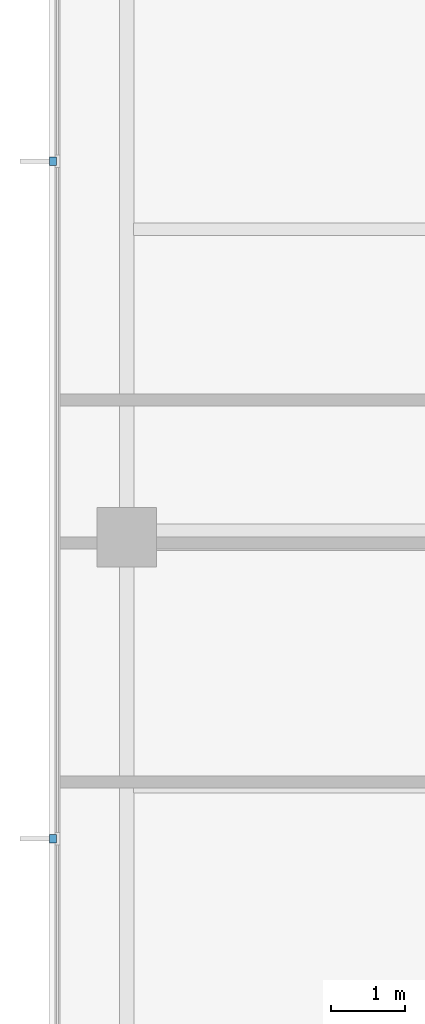
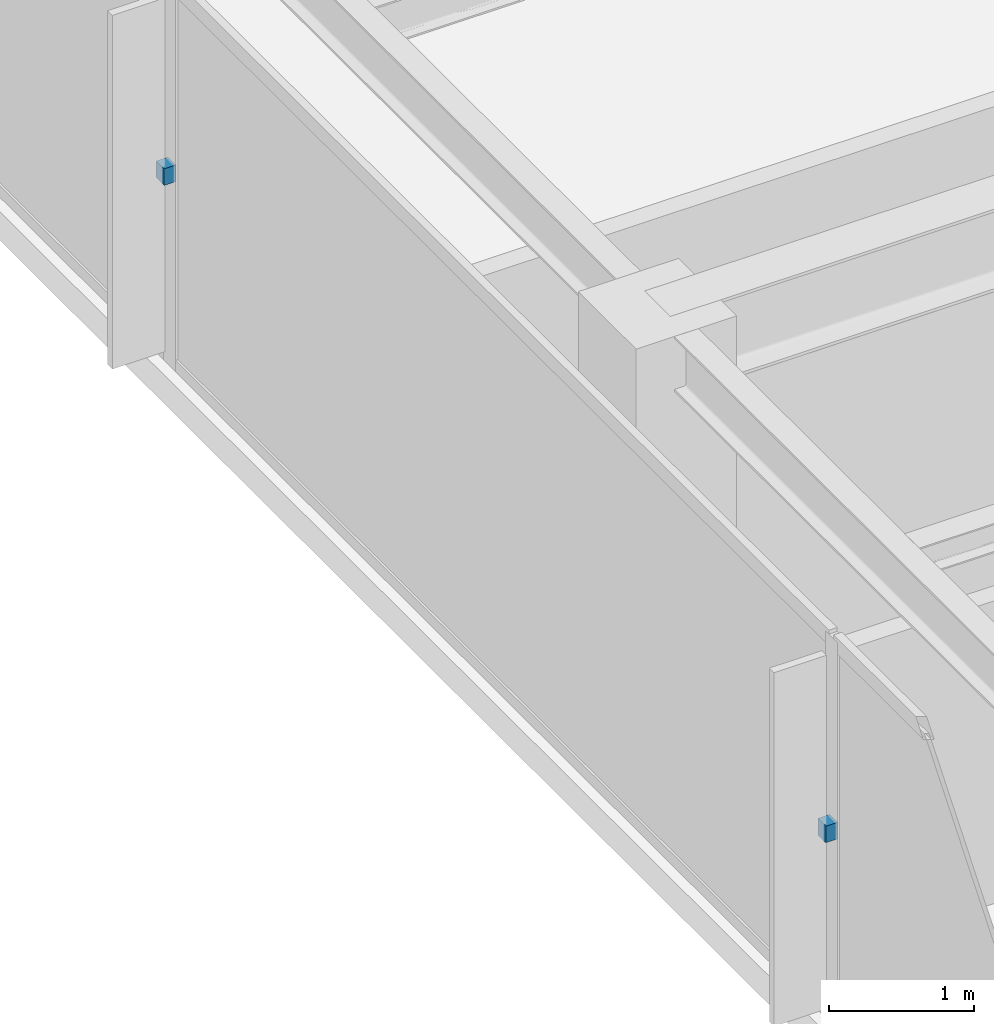
# One storey, part 9 of 11: 2 discrete accessories.
"""IFC4 building model written with IfcOpenShell, lengths in metres."""

from ifc_helpers import new_model, si_unit, direction, frame, origin, place, context, subcontext, project, spatial, polyline, outline, extrude, material, type_object, element, save


model = new_model("IFC4")

# Units and contexts
model_context = context("Model", 3, precision=1e-05, world=origin(), true_north=direction((0.0, 1.0)))
body_context = subcontext(model_context, "Body", "Model", "MODEL_VIEW")
ifc_project = project(units=[si_unit("LENGTHUNIT", "METRE"), si_unit("AREAUNIT", "SQUARE_METRE"), si_unit("VOLUMEUNIT", "CUBIC_METRE"), si_unit("PLANEANGLEUNIT", "RADIAN"), si_unit("MASSUNIT", "GRAM", prefix="KILO")], contexts=[model_context])

# Site, building, storey
site_placement = place(None, origin())
site = spatial("IfcSite", under=ifc_project, at=site_placement, CompositionType="ELEMENT")
building_placement = place(site_placement, origin())
building = spatial("IfcBuilding", under=site, at=building_placement, Name="Qalmaran Belvedere Hotel", CompositionType="ELEMENT")
storey_placement = place(building_placement, frame((0.0, 0.0, 277.39990234375)))
storey = spatial("IfcBuildingStorey", under=building, at=storey_placement, Name="L72", CompositionType="ELEMENT", Elevation=277.39990234375)

# Discrete accessories
ifc_material = material(Name="Stainless Steel 1.4401", Category="steel")
discrete_accessory_type = type_object("IfcDiscreteAccessoryType", Name="BRK-FIN-SS316", PredefinedType="BRACKET", material=ifc_material)
discrete_accessory_1_placement = place(storey_placement, frame((0.0, 0.0, 1.580078125)))
element("IfcDiscreteAccessory", 1, at=discrete_accessory_1_placement, inside=storey, type_object=discrete_accessory_type, Name="L72 Fin Bracket 1", PredefinedType="BRACKET", context=body_context, shape_type="SweptSolid", body=[
    extrude(outline(polyline([(11.455078125, 25.62158203125), (11.362548828125, 25.62158203125), (11.362548828125, 25.51171875), (11.455078125, 25.51171875), (11.455078125, 25.62158203125)])), origin(), (0.0, 0.0, 1.0), 0.14013671875),
])
discrete_accessory_2_placement = place(storey_placement, frame((0.0, 0.0, 1.580078125)))
element("IfcDiscreteAccessory", 2, at=discrete_accessory_2_placement, inside=storey, type_object=discrete_accessory_type, Name="L72 Fin Bracket 2", PredefinedType="BRACKET", context=body_context, shape_type="SweptSolid", body=[
    extrude(outline(polyline([(11.455078125, 16.48828125), (11.362548828125, 16.48828125), (11.362548828125, 16.37841796875), (11.455078125, 16.37841796875), (11.455078125, 16.48828125)])), origin(), (0.0, 0.0, 1.0), 0.14013671875),
])

save(model, "model.ifc")
